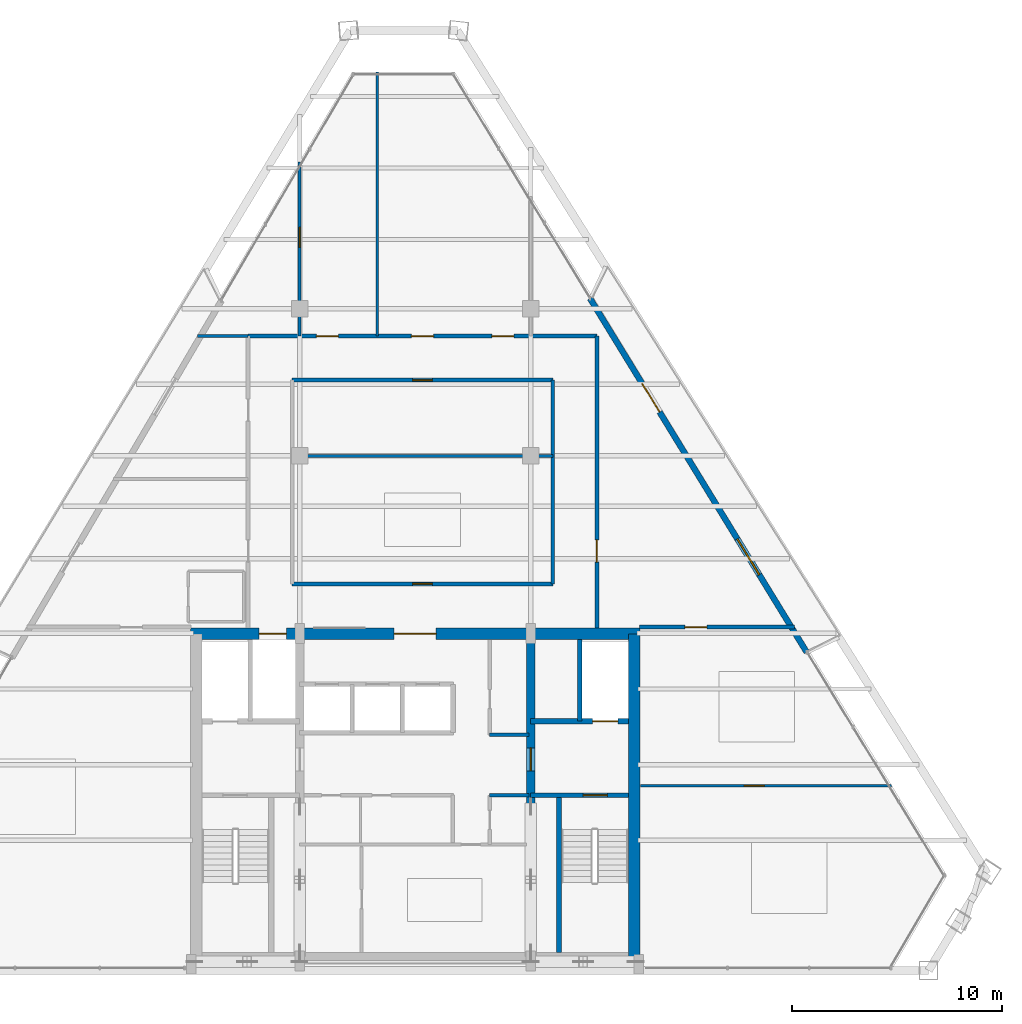
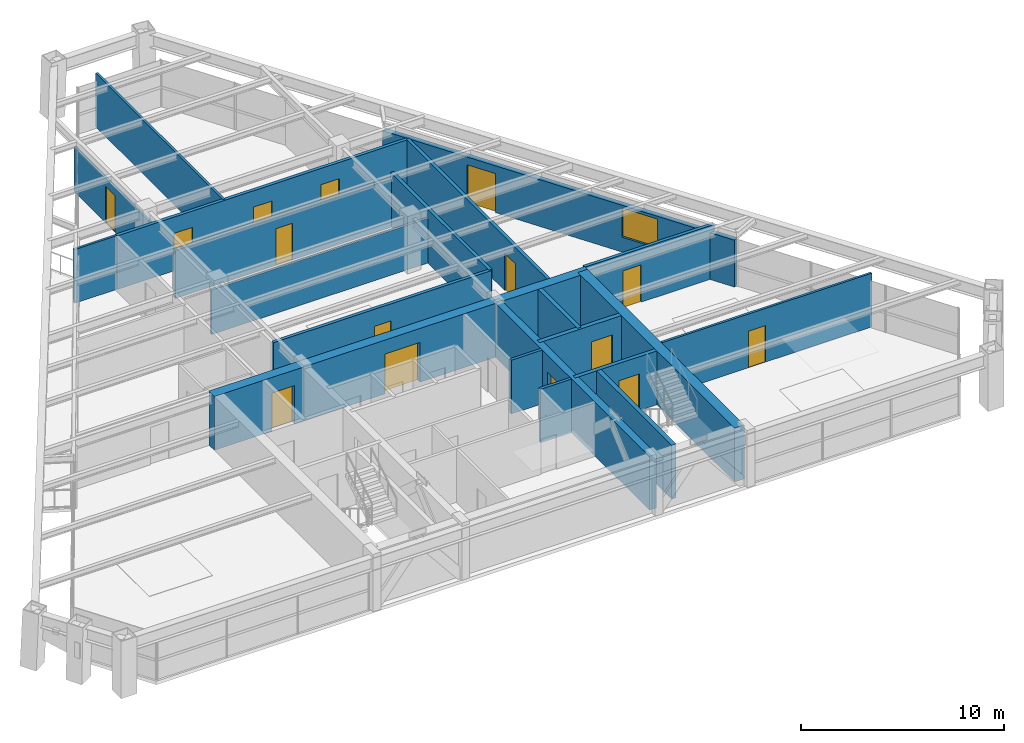
# One storey, part 10 of 13: 21 walls, 15 doors, 1 window, 16 openings.
"""IFC4 building model written with IfcOpenShell, lengths in metres."""

from ifc_helpers import new_model, si_unit, direction, frame, frame_2d, origin, place, context, subcontext, project, spatial, rectangle, extrude, source, transform, mapped, material, layer, layer_set, type_object, type_shapes, element, fill, save


model = new_model("IFC4")

# Units and contexts
model_context = context("Model", 3, precision=1e-05, world=origin(), true_north=direction((0.0, 1.0)))
body_context = subcontext(model_context, "Body", "Model", "MODEL_VIEW")
ifc_project = project(units=[si_unit("LENGTHUNIT", "METRE"), si_unit("AREAUNIT", "SQUARE_METRE"), si_unit("VOLUMEUNIT", "CUBIC_METRE"), si_unit("PLANEANGLEUNIT", "RADIAN"), si_unit("MASSUNIT", "GRAM", prefix="KILO")], contexts=[model_context])

# Site, building, storey
site_placement = place(None, origin())
site = spatial("IfcSite", under=ifc_project, at=site_placement, CompositionType="ELEMENT")
building_placement = place(site_placement, origin())
building = spatial("IfcBuilding", under=site, at=building_placement, Name="Varnakhor Terracotta Tower", CompositionType="ELEMENT")
storey_placement = place(building_placement, frame((0.0, 0.0, 247.60009765625)))
storey = spatial("IfcBuildingStorey", under=building, at=storey_placement, Name="L64", CompositionType="ELEMENT", Elevation=247.60009765625)

# Wall, openings, doors
ifc_material_1 = material(Name="Concrete C50/60", Category="concrete")
ifc_layer_1 = layer(ifc_material_1, 0.550048828125, Name="Concrete C50/60")
ifc_layer_set_1 = layer_set([ifc_layer_1], Name="Concrete C50/60")
wall_type_1 = type_object("IfcWallType", Name="WAL-CORE-550", PredefinedType="SHEAR", material=ifc_layer_set_1)
wall_1_placement = place(storey_placement, frame((-10.699951171875, 16.02490234375, 0.0), z_axis=(0.0, 0.0, 1.0), x_axis=(1.0, 0.0, 0.0)))
wall_1 = element("IfcWall", 1, at=wall_1_placement, inside=storey, type_object=wall_type_1, Name="L64 North Core Shear Wall", PredefinedType="SHEAR", context=body_context, shape_type="SweptSolid", body=[
    extrude(rectangle(XDim=21.39990234375, YDim=0.550048828125, at=frame_2d((10.699951171875, 0.0))), origin(), (0.0, 0.0, 1.0), 3.239990234375),
])
opening_1_placement = place(wall_1_placement, frame((3.27001953125, 0.0, 0.0)))
opening_1 = element("IfcOpeningElement", 2, at=opening_1_placement, cuts=wall_1, Name="Opening LD-03", PredefinedType="OPENING", context=body_context, shape_type="SweptSolid", body=[
    extrude(rectangle(XDim=1.300048828125, YDim=2.300048828125, at=frame_2d((0.64990234375, 1.14990234375))), frame((0.0, 0.28515625, 0.0), z_axis=(0.0, -1.0, 0.0), x_axis=(1.0, 0.0, 0.0)), (0.0, 0.0, 1.0), 0.570068359375),
])
opening_2_placement = place(wall_1_placement, frame((9.699951171875, 0.0, 0.0)))
opening_2 = element("IfcOpeningElement", 3, at=opening_2_placement, cuts=wall_1, Name="Opening DR-32", PredefinedType="OPENING", context=body_context, shape_type="SweptSolid", body=[
    extrude(rectangle(XDim=2.0, YDim=2.39990234375, at=frame_2d((1.0, 1.199951171875))), frame((0.0, 0.28515625, 0.0), z_axis=(0.0, -1.0, 0.0), x_axis=(1.0, 0.0, 0.0)), (0.0, 0.0, 1.0), 0.570068359375),
])
ifc_material_2 = material(Name="Heavy-Duty Goods Sliding Lift Landing Door", Category="steel")
door_type_1 = type_object("IfcDoorType", Name="LD-SRV-1300X2300", OperationType="NOTDEFINED", PredefinedType="DOOR", material=ifc_material_2)
shared_shape_1 = source(origin(), body_context, "Body", "SweptSolid", [
    extrude(rectangle(XDim=1.300048828125, YDim=2.300048828125, at=frame_2d((0.64990234375, 1.14990234375))), frame((0.0, 0.02490234375, 0.0), z_axis=(0.0, -1.0, 0.0), x_axis=(1.0, 0.0, 0.0)), (0.0, 0.0, 1.0), 0.050048828125),
])
type_shapes(door_type_1, [shared_shape_1])
door_1_placement = place(opening_1_placement, origin())
door_1 = element("IfcDoor", 4, at=door_1_placement, inside=storey, type_object=door_type_1, Name="L64 Service Lift SVL-1 Landing Door", OperationType="SLIDING_TO_RIGHT", OverallHeight=2.300048828125, OverallWidth=1.300048828125, PredefinedType="DOOR", context=body_context, shape_type="MappedRepresentation", body=[
    mapped(shared_shape_1, transform((0.0, 0.0, 0.0), scale=1.0)),
])
fill(opening_1, door_1)
ifc_material_3 = material(Name="Acoustic Double Assembly Fire Door", Category="wood")
door_type_2 = type_object("IfcDoorType", Name="DR-HALL-2000X2400", OperationType="NOTDEFINED", PredefinedType="DOOR", material=ifc_material_3)
shared_shape_2 = source(origin(), body_context, "Body", "SweptSolid", [
    extrude(rectangle(XDim=2.0, YDim=2.39990234375, at=frame_2d((1.0, 1.199951171875))), frame((0.0, 0.02490234375, 0.0), z_axis=(0.0, -1.0, 0.0), x_axis=(1.0, 0.0, 0.0)), (0.0, 0.0, 1.0), 0.050048828125),
])
type_shapes(door_type_2, [shared_shape_2])
door_2_placement = place(opening_2_placement, origin())
door_2 = element("IfcDoor", 5, at=door_2_placement, inside=storey, type_object=door_type_2, Name="L64 Core Main Lobby Double Door", OperationType="DOUBLE_DOOR_SINGLE_SWING", OverallHeight=2.39990234375, OverallWidth=2.0, PredefinedType="DOOR", context=body_context, shape_type="MappedRepresentation", body=[
    mapped(shared_shape_2, transform((0.0, 0.0, 0.0), scale=1.0)),
])
fill(opening_2, door_2)

# Wall
wall_2_placement = place(storey_placement, frame((10.425048828125, 0.574951171875, 0.0), z_axis=(0.0, 0.0, 1.0), x_axis=(0.0, 1.0, 0.0)))
element("IfcWall", 6, at=wall_2_placement, inside=storey, type_object=wall_type_1, Name="L64 East Core Shear Wall", PredefinedType="SHEAR", context=body_context, shape_type="SweptSolid", body=[
    extrude(rectangle(XDim=15.449951171875, YDim=0.550048828125, at=frame_2d((7.72509765625, 0.0))), origin(), (0.0, 0.0, 1.0), 3.239990234375),
])

# Wall, opening, door
ifc_layer_2 = layer(ifc_material_1, 0.39990234375, Name="Concrete C50/60")
ifc_layer_set_2 = layer_set([ifc_layer_2], Name="Concrete C50/60")
wall_type_2 = type_object("IfcWallType", Name="WAL-CORE-WEB-400", PredefinedType="SHEAR", material=ifc_layer_set_2)
wall_3_placement = place(storey_placement, frame((5.5, 0.574951171875, 0.0), z_axis=(0.0, 0.0, 1.0), x_axis=(0.0, 1.0, 0.0)))
wall_3 = element("IfcWall", 7, at=wall_3_placement, inside=storey, type_object=wall_type_2, Name="L64 East Core Web Shear Wall", PredefinedType="SHEAR", context=body_context, shape_type="SweptSolid", body=[
    extrude(rectangle(XDim=15.449951171875, YDim=0.39990234375, at=frame_2d((7.72509765625, 0.0))), origin(), (0.0, 0.0, 1.0), 3.239990234375),
])
opening_3_placement = place(wall_3_placement, frame((8.925048828125, 0.0, 0.0)))
opening_3 = element("IfcOpeningElement", 8, at=opening_3_placement, cuts=wall_3, Name="Opening DR-25", PredefinedType="OPENING", context=body_context, shape_type="SweptSolid", body=[
    extrude(rectangle(XDim=1.10009765625, YDim=2.199951171875, at=frame_2d((0.550048828125, 1.10009765625))), frame((0.0, 0.2099609375, 0.0), z_axis=(0.0, -1.0, 0.0), x_axis=(1.0, 0.0, 0.0)), (0.0, 0.0, 1.0), 0.419921875),
])
ifc_material_4 = material(Name="Firefighting Lobby Self-Closing Fire Door", Category="steel")
door_type_3 = type_object("IfcDoorType", Name="DR-FFL-1100X2200", OperationType="NOTDEFINED", PredefinedType="DOOR", material=ifc_material_4)
shared_shape_3 = source(origin(), body_context, "Body", "SweptSolid", [
    extrude(rectangle(XDim=1.10009765625, YDim=2.199951171875, at=frame_2d((0.550048828125, 1.10009765625))), frame((0.0, 0.02490234375, 0.0), z_axis=(0.0, -1.0, 0.0), x_axis=(1.0, 0.0, 0.0)), (0.0, 0.0, 1.0), 0.050048828125),
])
type_shapes(door_type_3, [shared_shape_3])
door_3_placement = place(opening_3_placement, origin())
door_3 = element("IfcDoor", 9, at=door_3_placement, inside=storey, type_object=door_type_3, Name="L64 East Firefighting Lobby Door", OperationType="SINGLE_SWING_RIGHT", OverallHeight=2.199951171875, OverallWidth=1.10009765625, PredefinedType="DOOR", context=body_context, shape_type="MappedRepresentation", body=[
    mapped(shared_shape_3, transform((0.0, 0.0, 0.0), scale=1.0)),
])
fill(opening_3, door_3)

ifc_material_5 = material(Name="Fire-Rated Gypsum Stud Partition", Category="gypsum")
ifc_layer_3 = layer(ifc_material_5, 0.18505859375, Name="Fire-Rated Gypsum Stud Partition")
ifc_layer_set_3 = layer_set([ifc_layer_3], Name="Fire-Rated Gypsum Stud Partition")
wall_type_3 = type_object("IfcWallType", Name="WAL-CORR-185", PredefinedType="PARTITIONING", material=ifc_layer_set_3)
wall_4_placement = place(storey_placement, frame((-5.85009765625, 18.39990234375, 0.0), z_axis=(0.0, 0.0, 1.0), x_axis=(1.0, 0.0, 0.0)))
wall_4 = element("IfcWall", 10, at=wall_4_placement, inside=storey, type_object=wall_type_3, Name="L64 Ring Inner South Wall", PredefinedType="PARTITIONING", context=body_context, shape_type="SweptSolid", body=[
    extrude(rectangle(XDim=12.400146484375, YDim=0.18505859375, at=frame_2d((6.2001953125, 0.0))), origin(), (0.0, 0.0, 1.0), 3.23193359375),
])
opening_4_placement = place(wall_4_placement, frame((5.72509765625, 0.0, 0.0)))
opening_4 = element("IfcOpeningElement", 11, at=opening_4_placement, cuts=wall_4, Name="Opening DR-94", PredefinedType="OPENING", context=body_context, shape_type="SweptSolid", body=[
    extrude(rectangle(XDim=0.949951171875, YDim=2.199951171875, at=frame_2d((0.47509765625, 1.10009765625))), frame((0.0, 0.1025390625, 0.0), z_axis=(0.0, -1.0, 0.0), x_axis=(1.0, 0.0, 0.0)), (0.0, 0.0, 1.0), 0.205078125),
])
ifc_material_6 = material(Name="Acoustic Glazed-Vision Timber Office Door", Category="wood")
door_type_4 = type_object("IfcDoorType", Name="DR-OFF-950X2200", OperationType="NOTDEFINED", PredefinedType="DOOR", material=ifc_material_6)
shared_shape_4 = source(origin(), body_context, "Body", "SweptSolid", [
    extrude(rectangle(XDim=0.949951171875, YDim=2.199951171875, at=frame_2d((0.47509765625, 1.10009765625))), frame((0.0, 0.02490234375, 0.0), z_axis=(0.0, -1.0, 0.0), x_axis=(1.0, 0.0, 0.0)), (0.0, 0.0, 1.0), 0.050048828125),
])
type_shapes(door_type_4, [shared_shape_4])
door_4_placement = place(opening_4_placement, origin())
door_4 = element("IfcDoor", 12, at=door_4_placement, inside=storey, type_object=door_type_4, Name="L64 Housekeeping Station Door", OperationType="SINGLE_SWING_LEFT", OverallHeight=2.199951171875, OverallWidth=0.949951171875, PredefinedType="DOOR", context=body_context, shape_type="MappedRepresentation", body=[
    mapped(shared_shape_4, transform((0.0, 0.0, 0.0), scale=1.0)),
])
fill(opening_4, door_4)

wall_5_placement = place(storey_placement, frame((-5.85009765625, 28.10009765625, 0.0), z_axis=(0.0, 0.0, 1.0), x_axis=(1.0, 0.0, 0.0)))
wall_5 = element("IfcWall", 13, at=wall_5_placement, inside=storey, type_object=wall_type_3, Name="L64 Ring Inner North Wall", PredefinedType="PARTITIONING", context=body_context, shape_type="SweptSolid", body=[
    extrude(rectangle(XDim=12.400146484375, YDim=0.18505859375, at=frame_2d((6.2001953125, 0.0))), origin(), (0.0, 0.0, 1.0), 2.885009765625),
])
opening_5_placement = place(wall_5_placement, frame((5.72509765625, 0.0, 0.0)))
opening_5 = element("IfcOpeningElement", 14, at=opening_5_placement, cuts=wall_5, Name="Opening DR-94", PredefinedType="OPENING", context=body_context, shape_type="SweptSolid", body=[
    extrude(rectangle(XDim=0.949951171875, YDim=2.199951171875, at=frame_2d((0.47509765625, 1.10009765625))), frame((0.0, 0.1025390625, 0.0), z_axis=(0.0, -1.0, 0.0), x_axis=(1.0, 0.0, 0.0)), (0.0, 0.0, 1.0), 0.205078125),
])
door_5_placement = place(opening_5_placement, origin())
door_5 = element("IfcDoor", 15, at=door_5_placement, inside=storey, type_object=door_type_4, Name="L64 Inner Service Door", OperationType="SINGLE_SWING_RIGHT", OverallHeight=2.199951171875, OverallWidth=0.949951171875, PredefinedType="DOOR", context=body_context, shape_type="MappedRepresentation", body=[
    mapped(shared_shape_4, transform((0.0, 0.0, 0.0), scale=1.0)),
])
fill(opening_5, door_5)

# Wall
wall_6_placement = place(storey_placement, frame((6.550048828125, 18.39990234375, 0.0), z_axis=(0.0, 0.0, 1.0), x_axis=(0.0, 1.0, 0.0)))
element("IfcWall", 16, at=wall_6_placement, inside=storey, type_object=wall_type_3, Name="L64 Ring Inner East Wall", PredefinedType="PARTITIONING", context=body_context, shape_type="SweptSolid", body=[
    extrude(rectangle(XDim=9.7001953125, YDim=0.18505859375, at=frame_2d((4.85009765625, 0.0))), origin(), (0.0, 0.0, 1.0), 3.23193359375),
])

# Wall, opening, door
wall_7_placement = place(storey_placement, frame((8.64990234375, 16.300048828125, 0.0), z_axis=(0.0, 0.0, 1.0), x_axis=(0.0, 1.0, 0.0)))
wall_7 = element("IfcWall", 17, at=wall_7_placement, inside=storey, type_object=wall_type_3, Name="L64 Hotel East Corridor Wall", PredefinedType="PARTITIONING", context=body_context, shape_type="SweptSolid", body=[
    extrude(rectangle(XDim=13.89990234375, YDim=0.18505859375, at=frame_2d((6.949951171875, 0.0))), origin(), (0.0, 0.0, 1.0), 3.23193359375),
])
opening_6_placement = place(wall_7_placement, frame((3.143798828125, 0.0, 0.0)))
opening_6 = element("IfcOpeningElement", 18, at=opening_6_placement, cuts=wall_7, Name="Opening DR-95", PredefinedType="OPENING", context=body_context, shape_type="SweptSolid", body=[
    extrude(rectangle(XDim=1.050048828125, YDim=2.25, at=frame_2d((0.52490234375, 1.125))), frame((0.0, 0.1025390625, 0.0), z_axis=(0.0, -1.0, 0.0), x_axis=(1.0, 0.0, 0.0)), (0.0, 0.0, 1.0), 0.205078125),
])
ifc_material_7 = material(Name="Solid-Core Timber Tenant/Hotel Entrance Door", Category="wood")
door_type_5 = type_object("IfcDoorType", Name="DR-SUITE-1050X2250", OperationType="NOTDEFINED", PredefinedType="DOOR", material=ifc_material_7)
shared_shape_5 = source(origin(), body_context, "Body", "SweptSolid", [
    extrude(rectangle(XDim=1.050048828125, YDim=2.25, at=frame_2d((0.52490234375, 1.125))), frame((0.0, 0.02490234375, 0.0), z_axis=(0.0, -1.0, 0.0), x_axis=(1.0, 0.0, 0.0)), (0.0, 0.0, 1.0), 0.050048828125),
])
type_shapes(door_type_5, [shared_shape_5])
door_6_placement = place(opening_6_placement, origin())
door_6 = element("IfcDoor", 19, at=door_6_placement, inside=storey, type_object=door_type_5, Name="L64 East Room 1 Entry Door", OperationType="SINGLE_SWING_LEFT", OverallHeight=2.25, OverallWidth=1.050048828125, PredefinedType="DOOR", context=body_context, shape_type="MappedRepresentation", body=[
    mapped(shared_shape_5, transform((0.0, 0.0, 0.0), scale=1.0)),
])
fill(opening_6, door_6)

# Wall, openings, doors
wall_8_placement = place(storey_placement, frame((-7.949951171875, 30.199951171875, 0.0), z_axis=(0.0, 0.0, 1.0), x_axis=(1.0, 0.0, 0.0)))
wall_8 = element("IfcWall", 20, at=wall_8_placement, inside=storey, type_object=wall_type_3, Name="L64 Hotel North Corridor Wall", PredefinedType="PARTITIONING", context=body_context, shape_type="SweptSolid", body=[
    extrude(rectangle(XDim=16.599853515625, YDim=0.18505859375, at=frame_2d((8.2998046875, 0.0))), origin(), (0.0, 0.0, 1.0), 3.23193359375),
])
opening_7_placement = place(wall_8_placement, frame((3.25, 0.0, 0.0)))
opening_7 = element("IfcOpeningElement", 21, at=opening_7_placement, cuts=wall_8, Name="Opening DR-95", PredefinedType="OPENING", context=body_context, shape_type="SweptSolid", body=[
    extrude(rectangle(XDim=1.050048828125, YDim=2.25, at=frame_2d((0.52490234375, 1.125))), frame((0.0, 0.1025390625, 0.0), z_axis=(0.0, -1.0, 0.0), x_axis=(1.0, 0.0, 0.0)), (0.0, 0.0, 1.0), 0.205078125),
])
opening_8_placement = place(wall_8_placement, frame((7.77490234375, 0.0, 0.0)))
opening_8 = element("IfcOpeningElement", 22, at=opening_8_placement, cuts=wall_8, Name="Opening DR-95", PredefinedType="OPENING", context=body_context, shape_type="SweptSolid", body=[
    extrude(rectangle(XDim=1.050048828125, YDim=2.25, at=frame_2d((0.52490234375, 1.125))), frame((0.0, 0.1025390625, 0.0), z_axis=(0.0, -1.0, 0.0), x_axis=(1.0, 0.0, 0.0)), (0.0, 0.0, 1.0), 0.205078125),
])
opening_9_placement = place(wall_8_placement, frame((11.60009765625, 0.0, 0.0)))
opening_9 = element("IfcOpeningElement", 23, at=opening_9_placement, cuts=wall_8, Name="Opening DR-95", PredefinedType="OPENING", context=body_context, shape_type="SweptSolid", body=[
    extrude(rectangle(XDim=1.050048828125, YDim=2.25, at=frame_2d((0.52490234375, 1.125))), frame((0.0, 0.1025390625, 0.0), z_axis=(0.0, -1.0, 0.0), x_axis=(1.0, 0.0, 0.0)), (0.0, 0.0, 1.0), 0.205078125),
])
door_7_placement = place(opening_7_placement, origin())
door_7 = element("IfcDoor", 24, at=door_7_placement, inside=storey, type_object=door_type_5, Name="L64 North Suite 1 Entry Door", OperationType="SINGLE_SWING_RIGHT", OverallHeight=2.25, OverallWidth=1.050048828125, PredefinedType="DOOR", context=body_context, shape_type="MappedRepresentation", body=[
    mapped(shared_shape_5, transform((0.0, 0.0, 0.0), scale=1.0)),
])
fill(opening_7, door_7)
door_8_placement = place(opening_8_placement, origin())
door_8 = element("IfcDoor", 25, at=door_8_placement, inside=storey, type_object=door_type_5, Name="L64 North Suite 2 Entry Door", OperationType="SINGLE_SWING_LEFT", OverallHeight=2.25, OverallWidth=1.050048828125, PredefinedType="DOOR", context=body_context, shape_type="MappedRepresentation", body=[
    mapped(shared_shape_5, transform((0.0, 0.0, 0.0), scale=1.0)),
])
fill(opening_8, door_8)
door_9_placement = place(opening_9_placement, origin())
door_9 = element("IfcDoor", 26, at=door_9_placement, inside=storey, type_object=door_type_5, Name="L64 North Suite 3 Entry Door", OperationType="SINGLE_SWING_RIGHT", OverallHeight=2.25, OverallWidth=1.050048828125, PredefinedType="DOOR", context=body_context, shape_type="MappedRepresentation", body=[
    mapped(shared_shape_5, transform((0.0, 0.0, 0.0), scale=1.0)),
])
fill(opening_9, door_9)

# Wall, opening, door
wall_9_placement = place(storey_placement, frame((10.679931640625, 16.35009765625, 0.0), z_axis=(0.0, 0.0, 1.0), x_axis=(1.0, 0.0, 0.0)))
wall_9 = element("IfcWall", 27, at=wall_9_placement, inside=storey, type_object=wall_type_3, Name="L64 South East Guest Entry Wall", PredefinedType="PARTITIONING", context=body_context, shape_type="SweptSolid", body=[
    extrude(rectangle(XDim=7.37548828125, YDim=0.18505859375, at=frame_2d((3.687744140625, 0.0))), origin(), (0.0, 0.0, 1.0), 3.23193359375),
])
opening_10_placement = place(wall_9_placement, frame((2.158447265625, 0.0, 0.0)))
opening_10 = element("IfcOpeningElement", 28, at=opening_10_placement, cuts=wall_9, Name="Opening DR-95", PredefinedType="OPENING", context=body_context, shape_type="SweptSolid", body=[
    extrude(rectangle(XDim=1.050048828125, YDim=2.25, at=frame_2d((0.52490234375, 1.125))), frame((0.0, 0.1025390625, 0.0), z_axis=(0.0, -1.0, 0.0), x_axis=(1.0, 0.0, 0.0)), (0.0, 0.0, 1.0), 0.205078125),
])
door_10_placement = place(opening_10_placement, origin())
door_10 = element("IfcDoor", 29, at=door_10_placement, inside=storey, type_object=door_type_5, Name="L64 SE Suite Entry Door", OperationType="SINGLE_SWING_RIGHT", OverallHeight=2.25, OverallWidth=1.050048828125, PredefinedType="DOOR", context=body_context, shape_type="MappedRepresentation", body=[
    mapped(shared_shape_5, transform((0.0, 0.0, 0.0), scale=1.0)),
])
fill(opening_10, door_10)

# Wall, openings, door, window
ifc_material_8 = material(Name="Extruded Architectural Terracotta Assembly", Category="masonry")
ifc_layer_4 = layer(ifc_material_8, 0.280029296875, Name="Extruded Architectural Terracotta Assembly")
ifc_layer_set_4 = layer_set([ifc_layer_4], Name="Extruded Architectural Terracotta Assembly")
wall_type_4 = type_object("IfcWallType", Name="WAL-EXT-TERRACOTTA-280", PredefinedType="SOLIDWALL", material=ifc_layer_set_4)
wall_10_placement = place(storey_placement, frame((8.323974609375, 31.989501953125, 0.0), z_axis=(0.0, 0.0, 1.0), x_axis=(0.522311741814, -0.852754621426, 0.0)))
wall_10 = element("IfcWall", 30, at=wall_10_placement, inside=storey, type_object=wall_type_4, Name="L64 E Loggia Insulated Terracotta Wall", PredefinedType="SOLIDWALL", context=body_context, shape_type="SweptSolid", body=[
    extrude(rectangle(XDim=19.7392578125, YDim=0.280029296875, at=frame_2d((9.86962890625, 0.0))), origin(), (0.0, 0.0, 1.0), 2.81982421875),
])
opening_11_placement = place(wall_10_placement, frame((4.7373046875, 0.0, 0.0)))
opening_11 = element("IfcOpeningElement", 31, at=opening_11_placement, cuts=wall_10, Name="Opening DR-62", PredefinedType="OPENING", context=body_context, shape_type="SweptSolid", body=[
    extrude(rectangle(XDim=1.60009765625, YDim=2.35009765625, at=frame_2d((0.800048828125, 1.175048828125))), frame((0.0, 0.14990234375, 0.0), z_axis=(0.0, -1.0, 0.0), x_axis=(1.0, 0.0, 0.0)), (0.0, 0.0, 1.0), 0.300048828125),
])
opening_12_placement = place(wall_10_placement, frame((13.422607421875, 0.0, 0.89990234375)))
opening_12 = element("IfcOpeningElement", 32, at=opening_12_placement, cuts=wall_10, Name="Opening WN-63", PredefinedType="OPENING", context=body_context, shape_type="SweptSolid", body=[
    extrude(rectangle(XDim=2.0, YDim=1.75, at=frame_2d((1.0, 0.875))), frame((0.0, 0.14990234375, 0.0), z_axis=(0.0, -1.0, 0.0), x_axis=(1.0, 0.0, 0.0)), (0.0, 0.0, 1.0), 0.300048828125),
])
ifc_material_9 = material(Name="Thermally Broken Sliding Glass Loggia Door", Category="glass")
door_type_6 = type_object("IfcDoorType", Name="DR-EXT-LOGGIA-1600X2350", OperationType="NOTDEFINED", PredefinedType="DOOR", material=ifc_material_9)
shared_shape_6 = source(origin(), body_context, "Body", "SweptSolid", [
    extrude(rectangle(XDim=1.60009765625, YDim=2.35009765625, at=frame_2d((0.800048828125, 1.175048828125))), frame((0.0, 0.02490234375, 0.0), z_axis=(0.0, -1.0, 0.0), x_axis=(1.0, 0.0, 0.0)), (0.0, 0.0, 1.0), 0.050048828125),
])
type_shapes(door_type_6, [shared_shape_6])
door_11_placement = place(opening_11_placement, origin())
door_11 = element("IfcDoor", 33, at=door_11_placement, inside=storey, type_object=door_type_6, Name="L64 E Recessed Loggia Sliding Door", OperationType="SLIDING_TO_RIGHT", OverallHeight=2.35009765625, OverallWidth=1.60009765625, PredefinedType="DOOR", context=body_context, shape_type="MappedRepresentation", body=[
    mapped(shared_shape_6, transform((0.0, 0.0, 0.0), scale=1.0)),
])
fill(opening_11, door_11)
ifc_material_10 = material(Name="Solar-Control Low-E Insulated Glass Unit", Category="glass")
window_type = type_object("IfcWindowType", Name="WIN-HTL-2000X1950", PartitioningType="SINGLE_PANEL", PredefinedType="WINDOW", material=ifc_material_10)
shared_shape_7 = source(origin(), body_context, "Body", "SweptSolid", [
    extrude(rectangle(XDim=2.0, YDim=1.75, at=frame_2d((1.0, 0.875))), frame((0.0, 0.030029296875, 0.0), z_axis=(0.0, -1.0, 0.0), x_axis=(1.0, 0.0, 0.0)), (0.0, 0.0, 1.0), 0.06005859375),
])
type_shapes(window_type, [shared_shape_7])
window_placement = place(opening_12_placement, origin())
window = element("IfcWindow", 34, at=window_placement, inside=storey, type_object=window_type, Name="L64 E Facet Punched Window", OverallHeight=1.75, OverallWidth=2.0, PartitioningType="SINGLE_PANEL", PredefinedType="WINDOW", context=body_context, shape_type="MappedRepresentation", body=[
    mapped(shared_shape_7, transform((0.0, 0.0, 0.0), scale=1.0)),
])
fill(opening_12, window)

# Wall, opening, door
ifc_material_11 = material(Name="Concrete C40/50", Category="concrete")
ifc_layer_5 = layer(ifc_material_11, 0.219970703125, Name="Concrete C40/50")
ifc_layer_set_5 = layer_set([ifc_layer_5], Name="Concrete C40/50")
wall_type_5 = type_object("IfcWallType", Name="WAL-FFLOBBY-220", PredefinedType="SOLIDWALL", material=ifc_layer_set_5)
wall_11_placement = place(storey_placement, frame((10.14990234375, 8.35009765625, 0.0), z_axis=(0.0, 0.0, 1.0), x_axis=(-1.0, 0.0, 0.0)))
wall_11 = element("IfcWall", 35, at=wall_11_placement, inside=storey, type_object=wall_type_5, Name="L64 East Firefighting Lobby Stair Wall", PredefinedType="SOLIDWALL", context=body_context, shape_type="SweptSolid", body=[
    extrude(rectangle(XDim=4.64990234375, YDim=0.219970703125, at=frame_2d((2.324951171875, 0.0))), origin(), (0.0, 0.0, 1.0), 3.239990234375),
])
opening_13_placement = place(wall_11_placement, frame((1.0, 0.0, 0.0)))
opening_13 = element("IfcOpeningElement", 36, at=opening_13_placement, cuts=wall_11, Name="Opening DR-34", PredefinedType="OPENING", context=body_context, shape_type="SweptSolid", body=[
    extrude(rectangle(XDim=1.14990234375, YDim=2.199951171875, at=frame_2d((0.574951171875, 1.10009765625))), frame((0.0, 0.1201171875, 0.0), z_axis=(0.0, -1.0, 0.0), x_axis=(1.0, 0.0, 0.0)), (0.0, 0.0, 1.0), 0.239990234375),
])
ifc_material_12 = material(Name="Self-Closing Smoke-Sealed Steel Fire Door", Category="steel")
door_type_7 = type_object("IfcDoorType", Name="DR-STAIR-1150X2200", OperationType="NOTDEFINED", PredefinedType="DOOR", material=ifc_material_12)
shared_shape_8 = source(origin(), body_context, "Body", "SweptSolid", [
    extrude(rectangle(XDim=1.14990234375, YDim=2.199951171875, at=frame_2d((0.574951171875, 1.10009765625))), frame((0.0, 0.02490234375, 0.0), z_axis=(0.0, -1.0, 0.0), x_axis=(1.0, 0.0, 0.0)), (0.0, 0.0, 1.0), 0.050048828125),
])
type_shapes(door_type_7, [shared_shape_8])
door_12_placement = place(opening_13_placement, origin())
door_12 = element("IfcDoor", 37, at=door_12_placement, inside=storey, type_object=door_type_7, Name="L64 Exit Stair ST-2 Fire Door", OperationType="SINGLE_SWING_LEFT", OverallHeight=2.199951171875, OverallWidth=1.14990234375, PredefinedType="DOOR", context=body_context, shape_type="MappedRepresentation", body=[
    mapped(shared_shape_8, transform((0.0, 0.0, 0.0), scale=1.0)),
])
fill(opening_13, door_12)

# Wall
ifc_material_13 = material(Name="Acoustic Hotel Room Partition", Category="gypsum")
ifc_layer_6 = layer(ifc_material_13, 0.1298828125, Name="Acoustic Hotel Room Partition")
ifc_layer_set_6 = layer_set([ifc_layer_6], Name="Acoustic Hotel Room Partition")
wall_type_6 = type_object("IfcWallType", Name="WAL-PART-130", PredefinedType="PARTITIONING", material=ifc_layer_set_6)
wall_12_placement = place(storey_placement, frame((-10.359375, 30.199951171875, 0.0), z_axis=(0.0, 0.0, 1.0), x_axis=(1.0, 0.0, 0.0)))
element("IfcWall", 38, at=wall_12_placement, inside=storey, type_object=wall_type_6, Name="L64 North West Suite South Wall", PredefinedType="PARTITIONING", context=body_context, shape_type="SweptSolid", body=[
    extrude(rectangle(XDim=2.409423828125, YDim=0.1298828125, at=frame_2d((1.20458984375, 0.0))), origin(), (0.0, 0.0, 1.0), 3.23193359375),
])

# Wall, opening, door
wall_13_placement = place(storey_placement, frame((-5.5, 30.199951171875, 0.0), z_axis=(0.0, 0.0, 1.0), x_axis=(0.0, 1.0, 0.0)))
wall_13 = element("IfcWall", 39, at=wall_13_placement, inside=storey, type_object=wall_type_6, Name="L64 North West Column Wall", PredefinedType="PARTITIONING", context=body_context, shape_type="SweptSolid", body=[
    extrude(rectangle(XDim=8.2861328125, YDim=0.1298828125, at=frame_2d((4.14306640625, 0.0))), origin(), (0.0, 0.0, 1.0), 2.682861328125),
])
opening_14_placement = place(wall_13_placement, frame((4.22119140625, 0.0, 0.0)))
opening_14 = element("IfcOpeningElement", 40, at=opening_14_placement, cuts=wall_13, Name="Opening DR-94", PredefinedType="OPENING", context=body_context, shape_type="SweptSolid", body=[
    extrude(rectangle(XDim=0.949951171875, YDim=2.199951171875, at=frame_2d((0.47509765625, 1.10009765625))), frame((0.0, 0.074951171875, 0.0), z_axis=(0.0, -1.0, 0.0), x_axis=(1.0, 0.0, 0.0)), (0.0, 0.0, 1.0), 0.14990234375),
])
door_13_placement = place(opening_14_placement, origin())
door_13 = element("IfcDoor", 41, at=door_13_placement, inside=storey, type_object=door_type_4, Name="L64 Herbal Tea Kitchen NW Door", OperationType="SINGLE_SWING_LEFT", OverallHeight=2.199951171875, OverallWidth=0.949951171875, PredefinedType="DOOR", context=body_context, shape_type="MappedRepresentation", body=[
    mapped(shared_shape_4, transform((0.0, 0.0, 0.0), scale=1.0)),
])
fill(opening_14, door_13)

# Wall
wall_14_placement = place(storey_placement, frame((-1.800048828125, 30.199951171875, 0.0), z_axis=(0.0, 0.0, 1.0), x_axis=(0.0, 1.0, 0.0)))
element("IfcWall", 42, at=wall_14_placement, inside=storey, type_object=wall_type_6, Name="L64 North Suite Split 1", PredefinedType="PARTITIONING", context=body_context, shape_type="SweptSolid", body=[
    extrude(rectangle(XDim=12.564208984375, YDim=0.1298828125, at=frame_2d((6.2822265625, 0.0))), origin(), (0.0, 0.0, 1.0), 3.23193359375),
])

# Wall, opening, door
wall_15_placement = place(storey_placement, frame((10.719970703125, 8.800048828125, 0.0), z_axis=(0.0, 0.0, 1.0), x_axis=(1.0, 0.0, 0.0)))
wall_15 = element("IfcWall", 43, at=wall_15_placement, inside=storey, type_object=wall_type_6, Name="L64 SE Key Split 1", PredefinedType="PARTITIONING", context=body_context, shape_type="SweptSolid", body=[
    extrude(rectangle(XDim=11.9599609375, YDim=0.1298828125, at=frame_2d((5.97998046875, 0.0))), origin(), (0.0, 0.0, 1.0), 3.23193359375),
])
opening_15_placement = place(wall_15_placement, frame((4.94091796875, 0.0, 0.0)))
opening_15 = element("IfcOpeningElement", 44, at=opening_15_placement, cuts=wall_15, Name="Opening DR-94", PredefinedType="OPENING", context=body_context, shape_type="SweptSolid", body=[
    extrude(rectangle(XDim=0.949951171875, YDim=2.199951171875, at=frame_2d((0.47509765625, 1.10009765625))), frame((0.0, 0.074951171875, 0.0), z_axis=(0.0, -1.0, 0.0), x_axis=(1.0, 0.0, 0.0)), (0.0, 0.0, 1.0), 0.14990234375),
])
door_14_placement = place(opening_15_placement, origin())
door_14 = element("IfcDoor", 45, at=door_14_placement, inside=storey, type_object=door_type_4, Name="L64 SE Suite Connect Door 1", OperationType="SINGLE_SWING_LEFT", OverallHeight=2.199951171875, OverallWidth=0.949951171875, PredefinedType="DOOR", context=body_context, shape_type="MappedRepresentation", body=[
    mapped(shared_shape_4, transform((0.0, 0.0, 0.0), scale=1.0)),
])
fill(opening_15, door_14)

# Walls
ifc_material_14 = material(Name="Acoustic Metal-Stud Partition", Category="gypsum")
ifc_layer_7 = layer(ifc_material_14, 0.139892578125, Name="Acoustic Metal-Stud Partition")
ifc_layer_set_7 = layer_set([ifc_layer_7], Name="Acoustic Metal-Stud Partition")
wall_type_7 = type_object("IfcWallType", Name="WAL-PART-140", PredefinedType="PARTITIONING", material=ifc_layer_set_7)
wall_16_placement = place(storey_placement, frame((-5.85009765625, 24.5, 0.0), z_axis=(0.0, 0.0, 1.0), x_axis=(1.0, 0.0, 0.0)))
element("IfcWall", 46, at=wall_16_placement, inside=storey, type_object=wall_type_7, Name="L64 Inner Service Split", PredefinedType="PARTITIONING", context=body_context, shape_type="SweptSolid", body=[
    extrude(rectangle(XDim=12.400146484375, YDim=0.139892578125, at=frame_2d((6.2001953125, 0.0))), origin(), (0.0, 0.0, 1.0), 2.682861328125),
])
ifc_layer_8 = layer(ifc_material_11, 0.219970703125, Name="Concrete C40/50")
ifc_layer_set_8 = layer_set([ifc_layer_8], Name="Concrete C40/50")
wall_type_8 = type_object("IfcWallType", Name="WAL-SHAFT-220", PredefinedType="SOLIDWALL", material=ifc_layer_set_8)
wall_17_placement = place(storey_placement, frame((7.840087890625, 11.8701171875, 0.0), z_axis=(0.0, 0.0, 1.0), x_axis=(0.0, 1.0, 0.0)))
element("IfcWall", 47, at=wall_17_placement, inside=storey, type_object=wall_type_8, Name="L64 Lift FFL-2 and Riser Divider Wall", PredefinedType="SOLIDWALL", context=body_context, shape_type="SweptSolid", body=[
    extrude(rectangle(XDim=3.8798828125, YDim=0.219970703125, at=frame_2d((1.93994140625, 0.0))), origin(), (0.0, 0.0, 1.0), 3.239990234375),
])
ifc_layer_9 = layer(ifc_material_11, 0.25, Name="Concrete C40/50")
ifc_layer_set_9 = layer_set([ifc_layer_9], Name="Concrete C40/50")
wall_type_9 = type_object("IfcWallType", Name="WAL-SHAFT-250", PredefinedType="SOLIDWALL", material=ifc_layer_set_9)
wall_18_placement = place(storey_placement, frame((6.85009765625, 0.85009765625, 0.0), z_axis=(0.0, 0.0, 1.0), x_axis=(0.0, 1.0, 0.0)))
element("IfcWall", 48, at=wall_18_placement, inside=storey, type_object=wall_type_9, Name="L64 Stair ST-2 Bearing Shaft Wall", PredefinedType="SOLIDWALL", context=body_context, shape_type="SweptSolid", body=[
    extrude(rectangle(XDim=7.5, YDim=0.25, at=frame_2d((3.75, 0.0))), origin(), (0.0, 0.0, 1.0), 3.239990234375),
])

# Wall, opening, door
wall_19_placement = place(storey_placement, frame((10.14990234375, 11.8701171875, 0.0), z_axis=(0.0, 0.0, 1.0), x_axis=(-1.0, 0.0, 0.0)))
wall_19 = element("IfcWall", 49, at=wall_19_placement, inside=storey, type_object=wall_type_9, Name="L64 Lift FFL-2 Shaft Front Wall", PredefinedType="SOLIDWALL", context=body_context, shape_type="SweptSolid", body=[
    extrude(rectangle(XDim=4.64990234375, YDim=0.25, at=frame_2d((2.324951171875, 0.0))), origin(), (0.0, 0.0, 1.0), 3.239990234375),
])
opening_16_placement = place(wall_19_placement, frame((0.5, 0.0, 0.0)))
opening_16 = element("IfcOpeningElement", 50, at=opening_16_placement, cuts=wall_19, Name="Opening LD-02", PredefinedType="OPENING", context=body_context, shape_type="SweptSolid", body=[
    extrude(rectangle(XDim=1.199951171875, YDim=2.25, at=frame_2d((0.60009765625, 1.125))), frame((0.0, 0.135009765625, 0.0), z_axis=(0.0, -1.0, 0.0), x_axis=(1.0, 0.0, 0.0)), (0.0, 0.0, 1.0), 0.27001953125),
])
ifc_material_15 = material(Name="Firefighting Stretcher Sliding Lift Landing Door", Category="steel")
door_type_8 = type_object("IfcDoorType", Name="LD-FFL-1200X2250", OperationType="NOTDEFINED", PredefinedType="DOOR", material=ifc_material_15)
shared_shape_9 = source(origin(), body_context, "Body", "SweptSolid", [
    extrude(rectangle(XDim=1.199951171875, YDim=2.25, at=frame_2d((0.60009765625, 1.125))), frame((0.0, 0.02490234375, 0.0), z_axis=(0.0, -1.0, 0.0), x_axis=(1.0, 0.0, 0.0)), (0.0, 0.0, 1.0), 0.050048828125),
])
type_shapes(door_type_8, [shared_shape_9])
door_15_placement = place(opening_16_placement, origin())
door_15 = element("IfcDoor", 51, at=door_15_placement, inside=storey, type_object=door_type_8, Name="L64 Firefighting Lift FFL-2 Landing Door", OperationType="SLIDING_TO_RIGHT", OverallHeight=2.25, OverallWidth=1.199951171875, PredefinedType="DOOR", context=body_context, shape_type="MappedRepresentation", body=[
    mapped(shared_shape_9, transform((0.0, 0.0, 0.0), scale=1.0)),
])
fill(opening_16, door_15)

# Walls
ifc_material_16 = material(Name="Acoustic Fire-Rated Partition", Category="gypsum")
ifc_layer_10 = layer(ifc_material_16, 0.1650390625, Name="Acoustic Fire-Rated Partition")
ifc_layer_set_10 = layer_set([ifc_layer_10], Name="Acoustic Fire-Rated Partition")
wall_type_10 = type_object("IfcWallType", Name="WAL-TENANCY-165", PredefinedType="PARTITIONING", material=ifc_layer_set_10)
for number, where, z_axis, x_axis, name in (
    (52, (3.5400390625, 8.340087890625, 0.0), (0.0, 0.0, 1.0), (1.0, 0.0, 0.0), "L64 Accessible WC North Wall"),
    (53, (3.5400390625, 11.219970703125, 0.0), (0.0, 0.0, 1.0), (1.0, 0.0, 0.0), "L64 Restroom South Wall"),
):
    element("IfcWall", number, at=place(storey_placement, frame(where, z_axis=z_axis, x_axis=x_axis)), inside=storey, type_object=wall_type_10, Name=name, PredefinedType="PARTITIONING", context=body_context, shape_type="SweptSolid", body=[
        extrude(rectangle(XDim=1.8798828125, YDim=0.1650390625, at=frame_2d((0.93994140625, 0.0))), origin(), (0.0, 0.0, 1.0), 3.23193359375),
    ])

save(model, "model.ifc")
